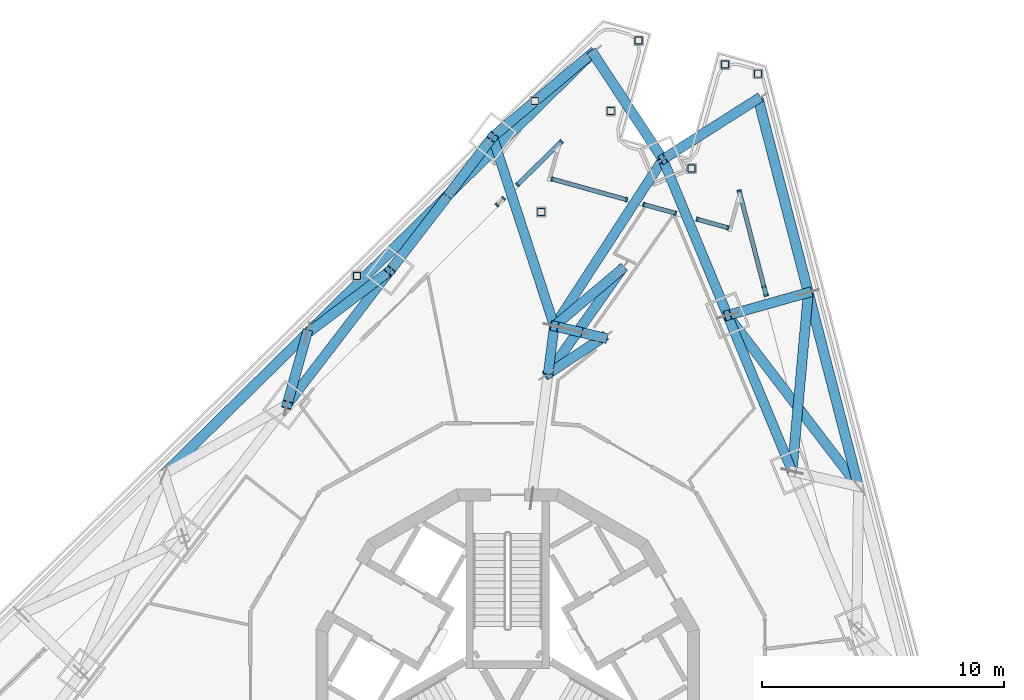
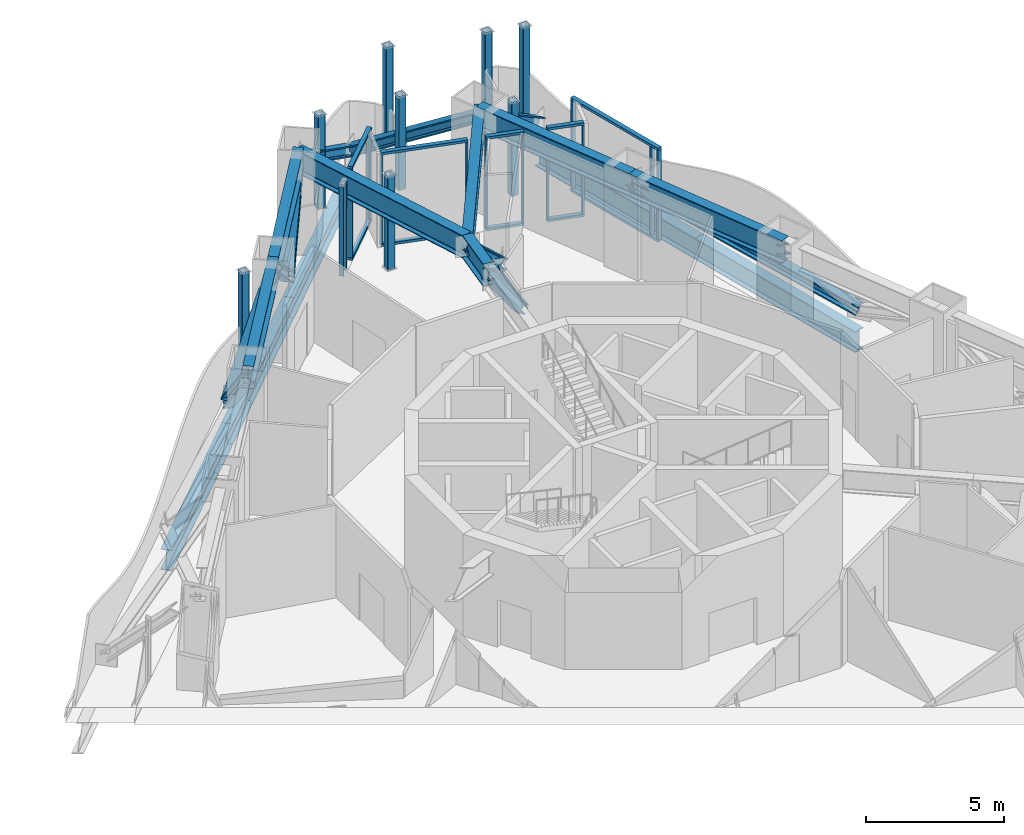
# One storey, part 4 of 22: 55 members, 3 beams, 6 elements without a shape of their own.
"""IFC4 building model written with IfcOpenShell, lengths in metres."""

from ifc_helpers import new_model, si_unit, direction, frame, origin, origin_2d, place, context, subcontext, project, spatial, rectangle, hollow_rectangle, i_section, extrude, material, layer, layer_set, material_profile, profile_set, type_object, element, aggregate, save


model = new_model("IFC4")

# Units and contexts
model_context = context("Model", 3, precision=1e-05, world=origin(), true_north=direction((0.0, 1.0)))
body_context = subcontext(model_context, "Body", "Model", "MODEL_VIEW")
ifc_project = project(units=[si_unit("LENGTHUNIT", "METRE"), si_unit("AREAUNIT", "SQUARE_METRE"), si_unit("VOLUMEUNIT", "CUBIC_METRE"), si_unit("PLANEANGLEUNIT", "RADIAN"), si_unit("MASSUNIT", "GRAM", prefix="KILO")], contexts=[model_context])

# Site, building, storey
site_placement = place(None, origin())
site = spatial("IfcSite", under=ifc_project, at=site_placement, CompositionType="ELEMENT")
building_placement = place(site_placement, origin())
building = spatial("IfcBuilding", under=site, at=building_placement, Name="Trine Commons Tower", CompositionType="ELEMENT")
storey_placement = place(building_placement, frame((0.0, 0.0, 267.300048828125)))
storey = spatial("IfcBuildingStorey", under=building, at=storey_placement, Name="L70", CompositionType="ELEMENT", Elevation=267.300048828125)

# Curtain wall, members
ifc_material_1 = material(Name="Sky lounge glazing: anodised aluminium frame with low-emissivity double glazed unit, solar control", Category="aluminium")
ifc_layer = layer(ifc_material_1, 0.179931640625)
ifc_layer_set = layer_set([ifc_layer], Name="Sky lounge glazing: anodised aluminium frame with low-emissivity double glazed unit, solar control")
curtain_wall_type = type_object("IfcCurtainWallType", Name="Sky lounge glazing curtain wall CW5", PredefinedType="NOTDEFINED", material=ifc_layer_set)
curtain_wall_1_placement = place(storey_placement, origin())
curtain_wall_1 = element("IfcCurtainWall", 1, at=curtain_wall_1_placement, inside=storey, type_object=curtain_wall_type, Name="Sky lounge glazing L70 F1.2", PredefinedType="NOTDEFINED")
ifc_material_2 = material(Name="Anodised aluminium, bronze finish", Category="aluminium")
ifc_material_profile_1 = material_profile(ifc_material_2, rectangle(XDim=0.179931640625, YDim=0.074951171875, at=origin_2d()), Name="Mullion 75x180")
ifc_profile_set_1 = profile_set([ifc_material_profile_1], Name="Anodised aluminium, bronze finish")
member_type_1 = type_object("IfcMemberType", Name="Mullion 75x180, Anodised aluminium, bronze finish", PredefinedType="MULLION", material=ifc_profile_set_1)
member_1_placement = place(storey_placement, frame((79.5576171875, 82.138916015625, 0.10986328125), z_axis=(0.0, 0.0, 1.0), x_axis=(-0.7009092643, 0.713250449154, 0.0)))
member_1 = element("IfcMember", 2, at=member_1_placement, type_object=member_type_1, Name="CW5 mullion 1.1", PredefinedType="MULLION", context=body_context, shape_type="SweptSolid", body=[
    extrude(rectangle(XDim=0.179931640625, YDim=0.074951171875, at=origin_2d()), origin(), (0.0, 0.0, 1.0), 3.93017578125),
])
member_2_placement = place(storey_placement, frame((79.83203125, 82.40869140625, 0.10986328125), z_axis=(0.0, 0.0, 1.0), x_axis=(-0.7009092643, 0.713250449154, 0.0)))
member_2 = element("IfcMember", 3, at=member_2_placement, type_object=member_type_1, Name="CW5 mullion 2.1", PredefinedType="MULLION", context=body_context, shape_type="SweptSolid", body=[
    extrude(rectangle(XDim=0.179931640625, YDim=0.074951171875, at=origin_2d()), origin(), (0.0, 0.0, 1.0), 3.93017578125),
])
aggregate(curtain_wall_1, [member_1, member_2])

curtain_wall_2_placement = place(storey_placement, origin())
curtain_wall_2 = element("IfcCurtainWall", 4, at=curtain_wall_2_placement, inside=storey, type_object=curtain_wall_type, Name="Sky lounge glazing L70 F1.3", PredefinedType="NOTDEFINED")
member_3_placement = place(storey_placement, frame((80.408447265625, 82.975341796875, 0.10986328125), z_axis=(0.0, 0.0, 1.0), x_axis=(-0.7009092643, 0.713250449154, 0.0)))
member_3 = element("IfcMember", 5, at=member_3_placement, type_object=member_type_1, Name="CW5 mullion 1.1", PredefinedType="MULLION", context=body_context, shape_type="SweptSolid", body=[
    extrude(rectangle(XDim=0.179931640625, YDim=0.074951171875, at=origin_2d()), origin(), (0.0, 0.0, 1.0), 3.93017578125),
])
member_4_placement = place(storey_placement, frame((82.21728515625, 84.7529296875, 0.10986328125), z_axis=(0.0, 0.0, 1.0), x_axis=(-0.7009092643, 0.713250449154, 0.0)))
member_4 = element("IfcMember", 6, at=member_4_placement, type_object=member_type_1, Name="CW5 mullion 2.1", PredefinedType="MULLION", context=body_context, shape_type="SweptSolid", body=[
    extrude(rectangle(XDim=0.179931640625, YDim=0.074951171875, at=origin_2d()), origin(), (0.0, 0.0, 1.0), 3.93017578125),
])

curtain_wall_3_placement = place(storey_placement, origin())
curtain_wall_3 = element("IfcCurtainWall", 7, at=curtain_wall_3_placement, inside=storey, type_object=curtain_wall_type, Name="Sky lounge glazing L70 P1.1", PredefinedType="NOTDEFINED")
member_5_placement = place(storey_placement, frame((81.838134765625, 83.207275390625, 0.10986328125), z_axis=(0.0, 0.0, 1.0), x_axis=(0.267238376078, 0.963630453209, 0.0)))
member_5 = element("IfcMember", 8, at=member_5_placement, type_object=member_type_1, Name="CW5 mullion 1.1", PredefinedType="MULLION", context=body_context, shape_type="SweptSolid", body=[
    extrude(rectangle(XDim=0.179931640625, YDim=0.074951171875, at=origin_2d()), origin(), (0.0, 0.0, 1.0), 3.93017578125),
])
member_6_placement = place(storey_placement, frame((84.906494140625, 82.356201171875, 0.10986328125), z_axis=(0.0, 0.0, 1.0), x_axis=(0.267238376078, 0.963630453209, 0.0)))
member_6 = element("IfcMember", 9, at=member_6_placement, type_object=member_type_1, Name="CW5 mullion 2.1", PredefinedType="MULLION", context=body_context, shape_type="SweptSolid", body=[
    extrude(rectangle(XDim=0.179931640625, YDim=0.074951171875, at=origin_2d()), origin(), (0.0, 0.0, 1.0), 3.93017578125),
])

curtain_wall_4_placement = place(storey_placement, origin())
curtain_wall_4 = element("IfcCurtainWall", 10, at=curtain_wall_4_placement, inside=storey, type_object=curtain_wall_type, Name="Sky lounge glazing L70 P1.2", PredefinedType="NOTDEFINED")
member_7_placement = place(storey_placement, frame((85.620361328125, 82.158447265625, 0.10986328125), z_axis=(0.0, 0.0, 1.0), x_axis=(0.267238376078, 0.963630453209, 0.0)))
member_7 = element("IfcMember", 11, at=member_7_placement, type_object=member_type_1, Name="CW5 mullion 1.1", PredefinedType="MULLION", context=body_context, shape_type="SweptSolid", body=[
    extrude(rectangle(XDim=0.179931640625, YDim=0.074951171875, at=origin_2d()), origin(), (0.0, 0.0, 1.0), 3.93017578125),
])
member_8_placement = place(storey_placement, frame((86.92529296875, 81.79638671875, 0.10986328125), z_axis=(0.0, 0.0, 1.0), x_axis=(0.267238376078, 0.963630453209, 0.0)))
member_8 = element("IfcMember", 12, at=member_8_placement, type_object=member_type_1, Name="CW5 mullion 2.1", PredefinedType="MULLION", context=body_context, shape_type="SweptSolid", body=[
    extrude(rectangle(XDim=0.179931640625, YDim=0.074951171875, at=origin_2d()), origin(), (0.0, 0.0, 1.0), 3.93017578125),
])

curtain_wall_5_placement = place(storey_placement, origin())
curtain_wall_5 = element("IfcCurtainWall", 13, at=curtain_wall_5_placement, inside=storey, type_object=curtain_wall_type, Name="Sky lounge glazing L70 P1.3", PredefinedType="NOTDEFINED")
member_9_placement = place(storey_placement, frame((87.826171875, 81.546630859375, 0.10986328125), z_axis=(0.0, 0.0, 1.0), x_axis=(0.267238376078, 0.963630453209, 0.0)))
member_9 = element("IfcMember", 14, at=member_9_placement, type_object=member_type_1, Name="CW5 mullion 1.1", PredefinedType="MULLION", context=body_context, shape_type="SweptSolid", body=[
    extrude(rectangle(XDim=0.179931640625, YDim=0.074951171875, at=origin_2d()), origin(), (0.0, 0.0, 1.0), 3.93017578125),
])
member_10_placement = place(storey_placement, frame((89.08935546875, 81.1962890625, 0.10986328125), z_axis=(0.0, 0.0, 1.0), x_axis=(0.267238376078, 0.963630453209, 0.0)))
member_10 = element("IfcMember", 15, at=member_10_placement, type_object=member_type_1, Name="CW5 mullion 2.1", PredefinedType="MULLION", context=body_context, shape_type="SweptSolid", body=[
    extrude(rectangle(XDim=0.179931640625, YDim=0.074951171875, at=origin_2d()), origin(), (0.0, 0.0, 1.0), 3.93017578125),
])

curtain_wall_6_placement = place(storey_placement, origin())
curtain_wall_6 = element("IfcCurtainWall", 16, at=curtain_wall_6_placement, inside=storey, type_object=curtain_wall_type, Name="Sky lounge glazing L70 F2.1", PredefinedType="NOTDEFINED")
member_11_placement = place(storey_placement, frame((89.560302734375, 82.716552734375, 0.10986328125), z_axis=(0.0, 0.0, 1.0), x_axis=(0.968147640378, 0.250380004054, 0.0)))
member_11 = element("IfcMember", 17, at=member_11_placement, type_object=member_type_1, Name="CW5 mullion 1.1", PredefinedType="MULLION", context=body_context, shape_type="SweptSolid", body=[
    extrude(rectangle(XDim=0.179931640625, YDim=0.074951171875, at=origin_2d()), origin(), (0.0, 0.0, 1.0), 3.93017578125),
])
member_12_placement = place(storey_placement, frame((90.58154296875, 78.767822265625, 0.10986328125), z_axis=(0.0, 0.0, 1.0), x_axis=(0.968147640378, 0.250380004054, 0.0)))
member_12 = element("IfcMember", 18, at=member_12_placement, type_object=member_type_1, Name="CW5 mullion 2.1", PredefinedType="MULLION", context=body_context, shape_type="SweptSolid", body=[
    extrude(rectangle(XDim=0.179931640625, YDim=0.074951171875, at=origin_2d()), origin(), (0.0, 0.0, 1.0), 3.93017578125),
])
member_13_placement = place(storey_placement, frame((90.673583984375, 78.41259765625, 0.10986328125), z_axis=(0.0, 0.0, 1.0), x_axis=(0.968147640378, 0.250380004054, 0.0)))
member_13 = element("IfcMember", 19, at=member_13_placement, type_object=member_type_1, Name="CW5 mullion 3.1", PredefinedType="MULLION", context=body_context, shape_type="SweptSolid", body=[
    extrude(rectangle(XDim=0.179931640625, YDim=0.074951171875, at=origin_2d()), origin(), (0.0, 0.0, 1.0), 3.93017578125),
])

# Beams
ifc_material_3 = material(Name="Structural steel ASTM A992 Gr50", Category="steel")
ifc_material_profile_2 = material_profile(ifc_material_3, i_section(OverallWidth=0.39990234375, OverallDepth=1.0, WebThickness=0.01904296875, FlangeThickness=0.0361328125, FilletRadius=0.02978515625, at=origin_2d()), Name="W40X249")
ifc_profile_set_2 = profile_set([ifc_material_profile_2], Name="Structural steel ASTM A992 Gr50")
beam_type = type_object("IfcBeamType", Name="Steel beam W40X249, ASTM A992 Gr50", PredefinedType="BEAM", material=ifc_profile_set_2)
beam_1_placement = place(storey_placement, frame((79.380126953125, 84.947998046875, 3.64990234375), z_axis=(0.30996338224, -0.950748495487, 0.0), x_axis=(0.950748495487, 0.30996338224, 0.0)))
element("IfcBeam", 20, at=beam_1_placement, inside=storey, type_object=beam_type, Name="Transfer truss girder T7-UV-03", PredefinedType="BEAM", context=body_context, shape_type="SweptSolid", body=[
    extrude(i_section(OverallWidth=0.39990234375, OverallDepth=1.0, WebThickness=0.01904296875, FlangeThickness=0.0361328125, FilletRadius=0.02978515625, at=origin_2d()), origin(), (0.0, 0.0, 1.0), 8.216796875),
])
beam_2_placement = place(storey_placement, frame((86.40869140625, 84.022705078125, 3.64990234375), z_axis=(-0.545443627605, -0.838147510349, 0.0), x_axis=(0.838147510349, -0.545443627605, 0.0)))
element("IfcBeam", 21, at=beam_2_placement, inside=storey, type_object=beam_type, Name="Transfer truss girder T7-UV-04", PredefinedType="BEAM", context=body_context, shape_type="SweptSolid", body=[
    extrude(i_section(OverallWidth=0.39990234375, OverallDepth=1.0, WebThickness=0.01904296875, FlangeThickness=0.0361328125, FilletRadius=0.02978515625, at=origin_2d()), origin(), (0.0, 0.0, 1.0), 8.216552734375),
])
beam_3_placement = place(storey_placement, frame((81.66796875, 75.168701171875, 3.64990234375), z_axis=(0.130543628956, 0.991442565628, 0.0), x_axis=(-0.991442565628, 0.130543628956, 0.0)))
element("IfcBeam", 22, at=beam_3_placement, inside=storey, type_object=beam_type, Name="Transfer truss girder T7-UR-04", PredefinedType="BEAM", context=body_context, shape_type="SweptSolid", body=[
    extrude(i_section(OverallWidth=0.39990234375, OverallDepth=1.0, WebThickness=0.01904296875, FlangeThickness=0.0361328125, FilletRadius=0.02978515625, at=origin_2d()), origin(), (0.0, 0.0, 1.0), 1.984375),
])

# Members
ifc_material_profile_3 = material_profile(ifc_material_3, i_section(OverallWidth=0.40966796875, OverallDepth=0.42529296875, WebThickness=0.03271484375, FlangeThickness=0.052490234375, FilletRadius=0.01513671875, at=origin_2d()), Name="W14X283")
ifc_profile_set_3 = profile_set([ifc_material_profile_3], Name="Structural steel ASTM A992 Gr50")
member_type_2 = type_object("IfcMemberType", Name="Steel brace W14X283, ASTM A992 Gr50", PredefinedType="BRACE", material=ifc_profile_set_3)
member_14_placement = place(storey_placement, frame((71.71484375, 76.82958984375, 0.463623046875), z_axis=(-0.186563965378, -0.666876349134, 0.721435944342), x_axis=(0.963024516585, -0.26941377184, 0.0)))
element("IfcMember", 23, at=member_14_placement, inside=storey, type_object=member_type_2, Name="Transfer truss brace T7-DG-19", PredefinedType="BRACE", context=body_context, shape_type="SweptSolid", body=[
    extrude(i_section(OverallWidth=0.40966796875, OverallDepth=0.42529296875, WebThickness=0.03271484375, FlangeThickness=0.052490234375, FilletRadius=0.01513671875, at=origin_2d()), origin(), (0.0, 0.0, 1.0), 4.41650390625),
])
member_15_placement = place(storey_placement, frame((77.612548828125, 82.625244140625, 0.463623046875), z_axis=(-0.480394204465, -0.622391269239, 0.617940544301), x_axis=(0.791619960715, -0.61101377873, 0.0)))
element("IfcMember", 24, at=member_15_placement, inside=storey, type_object=member_type_2, Name="Transfer truss brace T7-DG-21", PredefinedType="BRACE", context=body_context, shape_type="SweptSolid", body=[
    extrude(i_section(OverallWidth=0.40966796875, OverallDepth=0.42529296875, WebThickness=0.03271484375, FlangeThickness=0.052490234375, FilletRadius=0.01513671875, at=origin_2d()), origin(), (0.0, 0.0, 1.0), 5.15625),
])
member_16_placement = place(storey_placement, frame((71.71484375, 76.82958984375, 0.463623046875), z_axis=(0.640266115219, 0.484118137508, 0.59639662192), x_axis=(-0.603119759994, 0.797650647279, 0.0)))
element("IfcMember", 25, at=member_16_placement, inside=storey, type_object=member_type_2, Name="Transfer truss brace T7-DG-22", PredefinedType="BRACE", context=body_context, shape_type="SweptSolid", body=[
    extrude(i_section(OverallWidth=0.40966796875, OverallDepth=0.42529296875, WebThickness=0.03271484375, FlangeThickness=0.052490234375, FilletRadius=0.01513671875, at=origin_2d()), origin(), (0.0, 0.0, 1.0), 5.342529296875),
])
member_17_placement = place(storey_placement, frame((77.612548828125, 82.625244140625, 0.463623046875), z_axis=(0.40905756881, 0.537537805201, 0.737377117477), x_axis=(-0.795784879934, 0.605579412521, 0.0)))
element("IfcMember", 26, at=member_17_placement, inside=storey, type_object=member_type_2, Name="Transfer truss brace T7-DG-23", PredefinedType="BRACE", context=body_context, shape_type="SweptSolid", body=[
    extrude(i_section(OverallWidth=0.40966796875, OverallDepth=0.42529296875, WebThickness=0.03271484375, FlangeThickness=0.052490234375, FilletRadius=0.01513671875, at=origin_2d()), origin(), (0.0, 0.0, 1.0), 4.321044921875),
])
member_18_placement = place(storey_placement, frame((83.51025390625, 88.4208984375, 0.463623046875), z_axis=(-0.659060710368, -0.554184465625, 0.508447202873), x_axis=(0.643582468192, -0.765376774299, 0.0)))
element("IfcMember", 27, at=member_18_placement, inside=storey, type_object=member_type_2, Name="Transfer truss brace T7-DG-24", PredefinedType="BRACE", context=body_context, shape_type="SweptSolid", body=[
    extrude(i_section(OverallWidth=0.40966796875, OverallDepth=0.42529296875, WebThickness=0.03271484375, FlangeThickness=0.052490234375, FilletRadius=0.01513671875, at=origin_2d()), origin(), (0.0, 0.0, 1.0), 6.2666015625),
])
member_19_placement = place(storey_placement, frame((90.34130859375, 86.5263671875, 0.463623046875), z_axis=(-0.696434764813, -0.443378353188, 0.564264347875), x_axis=(0.537041521535, -0.843555809741, 0.0)))
element("IfcMember", 28, at=member_19_placement, inside=storey, type_object=member_type_2, Name="Transfer truss brace T7-DG-25", PredefinedType="BRACE", context=body_context, shape_type="SweptSolid", body=[
    extrude(i_section(OverallWidth=0.40966796875, OverallDepth=0.42529296875, WebThickness=0.03271484375, FlangeThickness=0.052490234375, FilletRadius=0.01513671875, at=origin_2d()), origin(), (0.0, 0.0, 1.0), 5.646728515625),
])
member_20_placement = place(storey_placement, frame((83.51025390625, 88.4208984375, 0.463623046875), z_axis=(0.470824565763, -0.714446138158, 0.51758182343), x_axis=(0.834990632966, 0.550264157345, 0.0)))
element("IfcMember", 29, at=member_20_placement, inside=storey, type_object=member_type_2, Name="Transfer truss brace T7-DG-26", PredefinedType="BRACE", context=body_context, shape_type="SweptSolid", body=[
    extrude(i_section(OverallWidth=0.40966796875, OverallDepth=0.42529296875, WebThickness=0.03271484375, FlangeThickness=0.052490234375, FilletRadius=0.01513671875, at=origin_2d()), origin(), (0.0, 0.0, 1.0), 6.156005859375),
])
member_21_placement = place(storey_placement, frame((92.41162109375, 78.52099609375, 0.463623046875), z_axis=(-0.708438742406, -0.199788127663, 0.676904167739), x_axis=(0.271425018967, -0.962459588284, 0.0)))
element("IfcMember", 30, at=member_21_placement, inside=storey, type_object=member_type_2, Name="Transfer truss brace T7-DG-27", PredefinedType="BRACE", context=body_context, shape_type="SweptSolid", body=[
    extrude(i_section(OverallWidth=0.40966796875, OverallDepth=0.42529296875, WebThickness=0.03271484375, FlangeThickness=0.052490234375, FilletRadius=0.01513671875, at=origin_2d()), origin(), (0.0, 0.0, 1.0), 4.70703125),
])
member_22_placement = place(storey_placement, frame((94.48193359375, 70.515625, 0.463623046875), z_axis=(-0.572032472374, 0.747706566944, 0.337214679839), x_axis=(-0.794226158442, -0.607622258682, 0.0)))
element("IfcMember", 31, at=member_22_placement, inside=storey, type_object=member_type_2, Name="Transfer truss brace T7-DG-28", PredefinedType="BRACE", context=body_context, shape_type="SweptSolid", body=[
    extrude(i_section(OverallWidth=0.40966796875, OverallDepth=0.42529296875, WebThickness=0.03271484375, FlangeThickness=0.052490234375, FilletRadius=0.01513671875, at=origin_2d()), origin(), (0.0, 0.0, 1.0), 9.44873046875),
])
member_23_placement = place(storey_placement, frame((92.41162109375, 78.52099609375, 0.463623046875), z_axis=(-0.082579036182, -0.91499629757, 0.394920850572), x_axis=(0.995952118903, -0.089885353942, 0.0)))
element("IfcMember", 32, at=member_23_placement, inside=storey, type_object=member_type_2, Name="Transfer truss brace T7-DG-30", PredefinedType="BRACE", context=body_context, shape_type="SweptSolid", body=[
    extrude(i_section(OverallWidth=0.40966796875, OverallDepth=0.42529296875, WebThickness=0.03271484375, FlangeThickness=0.052490234375, FilletRadius=0.01513671875, at=origin_2d()), origin(), (0.0, 0.0, 1.0), 8.068115234375),
])
member_24_placement = place(storey_placement, frame((83.927734375, 76.66259765625, 0.463623046875), z_axis=(-0.540331776015, -0.357205071028, 0.761870139236), x_axis=(0.551472345798, -0.834193174163, 0.0)))
element("IfcMember", 33, at=member_24_placement, inside=storey, type_object=member_type_2, Name="Transfer truss brace T7-DG-41", PredefinedType="BRACE", context=body_context, shape_type="SweptSolid", body=[
    extrude(i_section(OverallWidth=0.40966796875, OverallDepth=0.42529296875, WebThickness=0.03271484375, FlangeThickness=0.052490234375, FilletRadius=0.01513671875, at=origin_2d()), origin(), (0.0, 0.0, 1.0), 4.18212890625),
])
member_25_placement = place(storey_placement, frame((84.709716796875, 79.48291015625, 0.463623046875), z_axis=(-0.493326314336, -0.699700561893, 0.516767134473), x_axis=(0.817286896421, -0.576230968395, 0.0)))
element("IfcMember", 34, at=member_25_placement, inside=storey, type_object=member_type_2, Name="Transfer truss brace T7-DG-42", PredefinedType="BRACE", context=body_context, shape_type="SweptSolid", body=[
    extrude(i_section(OverallWidth=0.40966796875, OverallDepth=0.42529296875, WebThickness=0.03271484375, FlangeThickness=0.052490234375, FilletRadius=0.01513671875, at=origin_2d()), origin(), (0.0, 0.0, 1.0), 6.165771484375),
])
member_26_placement = place(storey_placement, frame((83.927734375, 76.66259765625, 0.463623046875), z_axis=(-0.474309454524, 0.113251193633, 0.873043360029), x_axis=(-0.232242213714, -0.97265798417, 0.0)))
element("IfcMember", 35, at=member_26_placement, inside=storey, type_object=member_type_2, Name="Transfer truss brace T7-DG-43a", PredefinedType="BRACE", context=body_context, shape_type="SweptSolid", body=[
    extrude(i_section(OverallWidth=0.40966796875, OverallDepth=0.42529296875, WebThickness=0.03271484375, FlangeThickness=0.052490234375, FilletRadius=0.01513671875, at=origin_2d()), origin(), (0.0, 0.0, 1.0), 2.17724609375),
])
member_27_placement = place(storey_placement, frame((82.89501953125, 76.9091796875, 2.364501953125), z_axis=(-0.595688637125, 0.139569922797, 0.790996387002), x_axis=(-0.228122218534, -0.973632504291, 0.0)))
element("IfcMember", 36, at=member_27_placement, inside=storey, type_object=member_type_2, Name="Transfer truss brace T7-DG-43b", PredefinedType="BRACE", context=body_context, shape_type="SweptSolid", body=[
    extrude(i_section(OverallWidth=0.40966796875, OverallDepth=0.42529296875, WebThickness=0.03271484375, FlangeThickness=0.052490234375, FilletRadius=0.01513671875, at=origin_2d()), origin(), (0.0, 0.0, 1.0), 1.625),
])
member_28_placement = place(storey_placement, frame((84.709716796875, 79.48291015625, 0.463623046875), z_axis=(-0.575207205393, -0.485126062944, 0.658626885206), x_axis=(0.64471177104, -0.764425753283, 0.0)))
element("IfcMember", 37, at=member_28_placement, inside=storey, type_object=member_type_2, Name="Transfer truss brace T7-DG-44", PredefinedType="BRACE", context=body_context, shape_type="SweptSolid", body=[
    extrude(i_section(OverallWidth=0.40966796875, OverallDepth=0.42529296875, WebThickness=0.03271484375, FlangeThickness=0.052490234375, FilletRadius=0.01513671875, at=origin_2d()), origin(), (0.0, 0.0, 1.0), 4.837646484375),
])
ifc_material_profile_4 = material_profile(ifc_material_3, i_section(OverallWidth=0.419189453125, OverallDepth=0.927001953125, WebThickness=0.019287109375, FlangeThickness=0.031982421875, FilletRadius=0.024169921875, at=origin_2d()), Name="W36X231")
ifc_profile_set_4 = profile_set([ifc_material_profile_4], Name="Structural steel ASTM A992 Gr50")
member_type_3 = type_object("IfcMemberType", Name="Steel chord W36X231, ASTM A992 Gr50", PredefinedType="CHORD", material=ifc_profile_set_4)
for number, where, z_axis, x_axis, name in (
    (38, (65.817138671875, 71.033935546875, -0.91357421875), (0.713250711672, 0.70090899716, 0.0), (-0.70090899716, 0.713250711672, 0.0), "Transfer truss chord T7-LC-08"),
    (39, (71.71484375, 76.82958984375, -0.91357421875), (0.713250711672, 0.70090899716, 0.0), (-0.70090899716, 0.713250711672, 0.0), "Transfer truss chord T7-LC-09"),
    (40, (77.612548828125, 82.625244140625, -0.91357421875), (0.713250711672, 0.70090899716, 0.0), (-0.70090899716, 0.713250711672, 0.0), "Transfer truss chord T7-LC-10"),
    (41, (90.34130859375, 86.5263671875, -0.91357421875), (0.250378050465, -0.968148145608, 0.0), (0.968148145608, 0.250378050465, 0.0), "Transfer truss chord T7-LC-11"),
    (42, (92.41162109375, 78.52099609375, -0.91357421875), (0.250378050465, -0.968148145608, 0.0), (0.968148145608, 0.250378050465, 0.0), "Transfer truss chord T7-LC-12"),
):
    element("IfcMember", number, at=place(storey_placement, frame(where, z_axis=z_axis, x_axis=x_axis)), inside=storey, type_object=member_type_3, Name=name, PredefinedType="CHORD", context=body_context, shape_type="SweptSolid", body=[
        extrude(i_section(OverallWidth=0.419189453125, OverallDepth=0.927001953125, WebThickness=0.019287109375, FlangeThickness=0.031982421875, FilletRadius=0.024169921875, at=origin_2d()), origin(), (0.0, 0.0, 1.0), 8.268798828125),
    ])
ifc_material_profile_5 = material_profile(ifc_material_3, i_section(OverallWidth=0.39990234375, OverallDepth=1.0, WebThickness=0.01904296875, FlangeThickness=0.0361328125, FilletRadius=0.02978515625, at=origin_2d()), Name="W40X249")
ifc_profile_set_5 = profile_set([ifc_material_profile_5], Name="Structural steel ASTM A992 Gr50")
member_type_4 = type_object("IfcMemberType", Name="Steel chord W40X249, ASTM A992 Gr50", PredefinedType="CHORD", material=ifc_profile_set_5)
member_29_placement = place(storey_placement, frame((70.890869140625, 73.88427734375, 3.64990234375), z_axis=(0.608759337707, 0.793354944999, 0.0), x_axis=(-0.793354944999, 0.608759337707, 0.0)))
element("IfcMember", 43, at=member_29_placement, inside=storey, type_object=member_type_4, Name="Transfer truss chord T7-UC-09", PredefinedType="CHORD", context=body_context, shape_type="SweptSolid", body=[
    extrude(i_section(OverallWidth=0.39990234375, OverallDepth=1.0, WebThickness=0.01904296875, FlangeThickness=0.0361328125, FilletRadius=0.02978515625, at=origin_2d()), origin(), (0.0, 0.0, 1.0), 6.97265625),
])
for number, where, z_axis, x_axis, name in (
    (44, (75.135498046875, 79.416015625, 3.64990234375), (0.608742427434, 0.793367920351, 0.0), (-0.793367920351, 0.608742427434, 0.0), "Transfer truss chord T7-UC-10"),
    (45, (86.40869140625, 84.022705078125, 3.64990234375), (0.382657931782, -0.923890094787, 0.0), (0.923890094787, 0.382657931782, 0.0), "Transfer truss chord T7-UC-11"),
):
    element("IfcMember", number, at=place(storey_placement, frame(where, z_axis=z_axis, x_axis=x_axis)), inside=storey, type_object=member_type_4, Name=name, PredefinedType="CHORD", context=body_context, shape_type="SweptSolid", body=[
        extrude(i_section(OverallWidth=0.39990234375, OverallDepth=1.0, WebThickness=0.01904296875, FlangeThickness=0.0361328125, FilletRadius=0.02978515625, at=origin_2d()), origin(), (0.0, 0.0, 1.0), 6.972900390625),
    ])
member_30_placement = place(storey_placement, frame((89.076904296875, 77.58056640625, 3.64990234375), z_axis=(0.382700196706, -0.923872588316, 0.0), x_axis=(0.923872588316, 0.382700196706, 0.0)))
element("IfcMember", 46, at=member_30_placement, inside=storey, type_object=member_type_4, Name="Transfer truss chord T7-UC-12", PredefinedType="CHORD", context=body_context, shape_type="SweptSolid", body=[
    extrude(i_section(OverallWidth=0.39990234375, OverallDepth=1.0, WebThickness=0.01904296875, FlangeThickness=0.0361328125, FilletRadius=0.02978515625, at=origin_2d()), origin(), (0.0, 0.0, 1.0), 6.97265625),
])
ifc_material_4 = material(Name="Structural steel ASTM A500 Gr C", Category="steel")
ifc_material_profile_6 = material_profile(ifc_material_4, hollow_rectangle(XDim=0.3046875, YDim=0.3046875, WallThickness=0.014892578125, InnerFilletRadius=0.00732421875, OuterFilletRadius=0.022216796875, at=origin_2d()), Name="HSS12X12X5/8")
ifc_profile_set_6 = profile_set([ifc_material_profile_6], Name="Structural steel ASTM A500 Gr C")
member_type_5 = type_object("IfcMemberType", Name="Steel post HSS12X12X5/8, ASTM A500 Gr C", PredefinedType="POST", material=ifc_profile_set_6)
for number, where, z_axis, x_axis, name in (
    (47, (73.7783203125, 79.207763671875, 0.0), (0.0, 0.0, 1.0), (1.0, 0.0, 0.0), "Roof post SP7-21"),
    (48, (85.407470703125, 88.921142578125, 0.0), (0.0, 0.0, 1.0), (1.0, 0.0, 0.0), "Roof post SP7-31"),
    (49, (81.387451171875, 81.8486328125, 0.0), (0.0, 0.0, 1.0), (1.0, 0.0, 0.0), "Roof post SP7-32"),
    (50, (81.1201171875, 86.422607421875, 0.0), (0.0, 0.0, 1.0), (1.0, 0.0, 0.0), "Roof post SP7-33"),
    (51, (84.255126953125, 86.010009765625, 0.0), (0.0, 0.0, 1.0), (1.0, 0.0, 0.0), "Roof post SP7-34"),
    (52, (88.972900390625, 87.932373046875, 0.0), (0.0, 0.0, 1.0), (1.0, 0.0, 0.0), "Roof post SP7-52"),
    (53, (87.593017578125, 83.645263671875, 0.0), (0.0, 0.0, 1.0), (1.0, 0.0, 0.0), "Roof post SP7-53"),
    (54, (90.33349609375, 87.55517578125, 0.0), (0.0, 0.0, 1.0), (1.0, 0.0, 0.0), "Roof post SP7-54"),
):
    element("IfcMember", number, at=place(storey_placement, frame(where, z_axis=z_axis, x_axis=x_axis)), inside=storey, type_object=member_type_5, Name=name, PredefinedType="POST", context=body_context, shape_type="SweptSolid", body=[
        extrude(hollow_rectangle(XDim=0.3046875, YDim=0.3046875, WallThickness=0.014892578125, InnerFilletRadius=0.00732421875, OuterFilletRadius=0.022216796875, at=origin_2d()), origin(), (0.0, 0.0, 1.0), 4.14990234375),
    ])

# Member
ifc_material_profile_7 = material_profile(ifc_material_2, rectangle(XDim=0.179931640625, YDim=0.110107421875, at=origin_2d()), Name="Transom 110x180")
ifc_profile_set_7 = profile_set([ifc_material_profile_7], Name="Anodised aluminium, bronze finish")
member_type_6 = type_object("IfcMemberType", Name="Transom 110x180, Anodised aluminium, bronze finish", PredefinedType="USERDEFINED", material=ifc_profile_set_7)
member_31_placement = place(storey_placement, frame((80.3818359375, 82.948974609375, 0.054931640625), z_axis=(0.713204393811, 0.700956127478, 0.0), x_axis=(-0.700956127478, 0.713204393811, 0.0)))
member_31 = element("IfcMember", 55, at=member_31_placement, type_object=member_type_6, Name="CW5 transom T00", ObjectType="TRANSOM", PredefinedType="USERDEFINED", context=body_context, shape_type="SweptSolid", body=[
    extrude(rectangle(XDim=0.179931640625, YDim=0.110107421875, at=origin_2d()), origin(), (0.0, 0.0, 1.0), 2.611083984375),
])

member_32_placement = place(storey_placement, frame((80.3818359375, 82.948974609375, 4.094970703125), z_axis=(0.713204393811, 0.700956127478, 0.0), x_axis=(-0.700956127478, 0.713204393811, 0.0)))
member_32 = element("IfcMember", 56, at=member_32_placement, type_object=member_type_6, Name="CW5 transom TH00", ObjectType="TRANSOM", PredefinedType="USERDEFINED", context=body_context, shape_type="SweptSolid", body=[
    extrude(rectangle(XDim=0.179931640625, YDim=0.110107421875, at=origin_2d()), origin(), (0.0, 0.0, 1.0), 2.611083984375),
])

aggregate(curtain_wall_2, [member_31, member_32, member_3, member_4])

member_33_placement = place(storey_placement, frame((81.802001953125, 83.21728515625, 0.054931640625), z_axis=(0.96362086404, -0.267272951096, 0.0), x_axis=(0.267272951096, 0.96362086404, 0.0)))
member_33 = element("IfcMember", 57, at=member_33_placement, type_object=member_type_6, Name="CW5 transom T00", ObjectType="TRANSOM", PredefinedType="USERDEFINED", context=body_context, shape_type="SweptSolid", body=[
    extrude(rectangle(XDim=0.179931640625, YDim=0.110107421875, at=origin_2d()), origin(), (0.0, 0.0, 1.0), 3.25927734375),
])

member_34_placement = place(storey_placement, frame((81.802001953125, 83.21728515625, 4.094970703125), z_axis=(0.96362086404, -0.267272951096, 0.0), x_axis=(0.267272951096, 0.96362086404, 0.0)))
member_34 = element("IfcMember", 58, at=member_34_placement, type_object=member_type_6, Name="CW5 transom TH00", ObjectType="TRANSOM", PredefinedType="USERDEFINED", context=body_context, shape_type="SweptSolid", body=[
    extrude(rectangle(XDim=0.179931640625, YDim=0.110107421875, at=origin_2d()), origin(), (0.0, 0.0, 1.0), 3.25927734375),
])

aggregate(curtain_wall_3, [member_33, member_34, member_5, member_6])

member_35_placement = place(storey_placement, frame((85.583984375, 82.16845703125, 0.054931640625), z_axis=(0.96365970056, -0.267132891116, 0.0), x_axis=(0.267132891116, 0.96365970056, 0.0)))
member_35 = element("IfcMember", 59, at=member_35_placement, type_object=member_type_6, Name="CW5 transom T00", ObjectType="TRANSOM", PredefinedType="USERDEFINED", context=body_context, shape_type="SweptSolid", body=[
    extrude(rectangle(XDim=0.179931640625, YDim=0.110107421875, at=origin_2d()), origin(), (0.0, 0.0, 1.0), 1.429443359375),
])

member_36_placement = place(storey_placement, frame((85.583984375, 82.16845703125, 4.094970703125), z_axis=(0.96365970056, -0.267132891116, 0.0), x_axis=(0.267132891116, 0.96365970056, 0.0)))
member_36 = element("IfcMember", 60, at=member_36_placement, type_object=member_type_6, Name="CW5 transom TH00", ObjectType="TRANSOM", PredefinedType="USERDEFINED", context=body_context, shape_type="SweptSolid", body=[
    extrude(rectangle(XDim=0.179931640625, YDim=0.110107421875, at=origin_2d()), origin(), (0.0, 0.0, 1.0), 1.429443359375),
])

aggregate(curtain_wall_4, [member_35, member_36, member_7, member_8])

member_37_placement = place(storey_placement, frame((87.7900390625, 81.556640625, 0.054931640625), z_axis=(0.963628876991, -0.26724405967, 0.0), x_axis=(0.26724405967, 0.963628876991, 0.0)))
member_37 = element("IfcMember", 61, at=member_37_placement, type_object=member_type_6, Name="CW5 transom T00", ObjectType="TRANSOM", PredefinedType="USERDEFINED", context=body_context, shape_type="SweptSolid", body=[
    extrude(rectangle(XDim=0.179931640625, YDim=0.110107421875, at=origin_2d()), origin(), (0.0, 0.0, 1.0), 1.3857421875),
])

member_38_placement = place(storey_placement, frame((87.7900390625, 81.556640625, 4.094970703125), z_axis=(0.963628876991, -0.26724405967, 0.0), x_axis=(0.26724405967, 0.963628876991, 0.0)))
member_38 = element("IfcMember", 62, at=member_38_placement, type_object=member_type_6, Name="CW5 transom TH00", ObjectType="TRANSOM", PredefinedType="USERDEFINED", context=body_context, shape_type="SweptSolid", body=[
    extrude(rectangle(XDim=0.179931640625, YDim=0.110107421875, at=origin_2d()), origin(), (0.0, 0.0, 1.0), 1.3857421875),
])

aggregate(curtain_wall_5, [member_37, member_38, member_9, member_10])

member_39_placement = place(storey_placement, frame((89.551025390625, 82.752685546875, 0.054931640625), z_axis=(0.250381076377, -0.968147363056, 0.0), x_axis=(0.968147363056, 0.250381076377, 0.0)))
member_39 = element("IfcMember", 63, at=member_39_placement, type_object=member_type_6, Name="CW5 transom T00", ObjectType="TRANSOM", PredefinedType="USERDEFINED", context=body_context, shape_type="SweptSolid", body=[
    extrude(rectangle(XDim=0.179931640625, YDim=0.110107421875, at=origin_2d()), origin(), (0.0, 0.0, 1.0), 4.5205078125),
])

member_40_placement = place(storey_placement, frame((89.551025390625, 82.752685546875, 4.094970703125), z_axis=(0.250381076377, -0.968147363056, 0.0), x_axis=(0.968147363056, 0.250381076377, 0.0)))
member_40 = element("IfcMember", 64, at=member_40_placement, type_object=member_type_6, Name="CW5 transom TH00", ObjectType="TRANSOM", PredefinedType="USERDEFINED", context=body_context, shape_type="SweptSolid", body=[
    extrude(rectangle(XDim=0.179931640625, YDim=0.110107421875, at=origin_2d()), origin(), (0.0, 0.0, 1.0), 4.5205078125),
])

aggregate(curtain_wall_6, [member_39, member_40, member_11, member_12, member_13])

save(model, "model.ifc")
